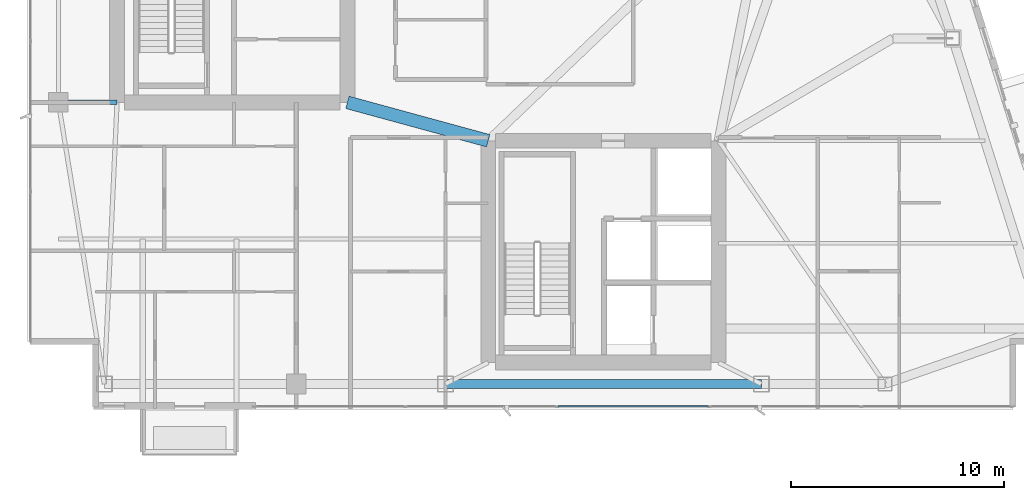
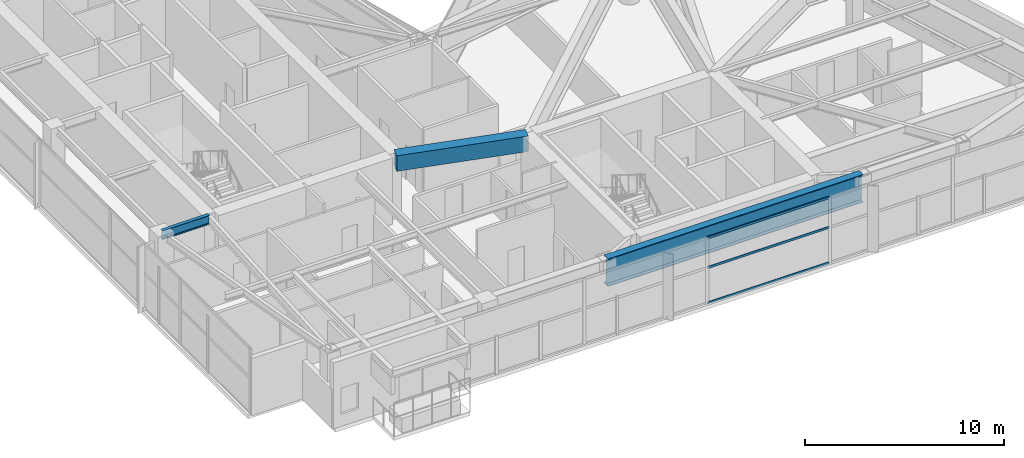
# One storey, part 7 of 27: 3 beams, 3 members, 1 element without a shape of its own.
"""IFC4 building model written with IfcOpenShell, lengths in metres."""

from ifc_helpers import new_model, si_unit, direction, frame, origin, origin_2d, place, context, subcontext, project, spatial, rectangle, hollow_rectangle, i_section, extrude, material, layer, layer_set, material_profile, profile_set, type_object, element, aggregate, save


model = new_model("IFC4")

# Units and contexts
model_context = context("Model", 3, precision=1e-05, world=origin(), true_north=direction((0.0, 1.0)))
body_context = subcontext(model_context, "Body", "Model", "MODEL_VIEW")
ifc_project = project(units=[si_unit("LENGTHUNIT", "METRE"), si_unit("AREAUNIT", "SQUARE_METRE"), si_unit("VOLUMEUNIT", "CUBIC_METRE"), si_unit("PLANEANGLEUNIT", "RADIAN"), si_unit("MASSUNIT", "GRAM", prefix="KILO")], contexts=[model_context])

# Site, building, storey
site_placement = place(None, origin())
site = spatial("IfcSite", under=ifc_project, at=site_placement, CompositionType="ELEMENT")
building_placement = place(site_placement, origin())
building = spatial("IfcBuilding", under=site, at=building_placement, Name="Calvorn Quay Hotel", CompositionType="ELEMENT")
storey_placement = place(building_placement, frame((0.0, 0.0, 239.300048828125)))
storey = spatial("IfcBuildingStorey", under=building, at=storey_placement, Name="L59", CompositionType="ELEMENT", Elevation=239.300048828125)

# Beams
ifc_material_1 = material(Name="Steel Q355B", Category="steel")
ifc_material_profile_1 = material_profile(ifc_material_1, i_section(OverallWidth=0.199951171875, OverallDepth=0.550048828125, WebThickness=0.010009765625, FlangeThickness=0.01611328125, FilletRadius=0.01806640625, at=origin_2d()), Name="HN550x200x10x16")
ifc_profile_set_1 = profile_set([ifc_material_profile_1], Name="Steel Q355B")
beam_type_1 = type_object("IfcBeamType", Name="BM-GIRD-UPP", PredefinedType="BEAM", material=ifc_profile_set_1)
beam_1_placement = place(storey_placement, frame((1.449951171875, 16.800048828125, 3.77490234375), z_axis=(1.0, 0.0, 0.0), x_axis=(0.0, 1.0, 0.0)))
element("IfcBeam", 1, at=beam_1_placement, inside=storey, type_object=beam_type_1, Name="Beam BG-L59-W1", PredefinedType="BEAM", context=body_context, shape_type="SweptSolid", body=[
    extrude(i_section(OverallWidth=0.199951171875, OverallDepth=0.550048828125, WebThickness=0.010009765625, FlangeThickness=0.01611328125, FilletRadius=0.01806640625, at=origin_2d()), origin(), (0.0, 0.0, 1.0), 2.75),
])
ifc_material_2 = material(Name="Concrete C45", Category="concrete")
ifc_material_profile_2 = material_profile(ifc_material_2, rectangle(XDim=0.60009765625, YDim=0.949951171875, at=origin_2d()), Name="RCB600x950")
ifc_profile_set_2 = profile_set([ifc_material_profile_2], Name="Concrete C45")
beam_type_2 = type_object("IfcBeamType", Name="BM-RC-LINK-600x950", PredefinedType="BEAM", material=ifc_profile_set_2)
beam_2_placement = place(storey_placement, frame((15.0, 16.800048828125, 3.574951171875), z_axis=(0.964762997686, -0.263120425462, 0.0), x_axis=(0.263120425462, 0.964762997686, 0.0)))
element("IfcBeam", 2, at=beam_2_placement, inside=storey, type_object=beam_type_2, Name="Beam BCL-L59-01", PredefinedType="BEAM", context=body_context, shape_type="SweptSolid", body=[
    extrude(rectangle(XDim=0.60009765625, YDim=0.949951171875, at=origin_2d()), origin(), (0.0, 0.0, 1.0), 6.841064453125),
])
ifc_material_3 = material(Name="Steel Q420GJC", Category="steel")
ifc_material_profile_3 = material_profile(ifc_material_3, i_section(OverallWidth=0.419921875, OverallDepth=1.699951171875, WebThickness=0.02392578125, FlangeThickness=0.0419921875, FilletRadius=0.02392578125, at=origin_2d()), Name="HN1700x420x24x42")
ifc_profile_set_3 = profile_set([ifc_material_profile_3], Name="Steel Q420GJC")
beam_type_3 = type_object("IfcBeamType", Name="BM-XFER-SAWTOOTH", PredefinedType="BEAM", material=ifc_profile_set_3)
beam_3_placement = place(storey_placement, frame((19.60009765625, 3.60009765625, 3.199951171875), z_axis=(1.0, 0.0, 0.0), x_axis=(0.0, 1.0, 0.0)))
element("IfcBeam", 3, at=beam_3_placement, inside=storey, type_object=beam_type_3, Name="Beam BSP-L59-S3", PredefinedType="BEAM", context=body_context, shape_type="SweptSolid", body=[
    extrude(i_section(OverallWidth=0.419921875, OverallDepth=1.699951171875, WebThickness=0.02392578125, FlangeThickness=0.0419921875, FilletRadius=0.02392578125, at=origin_2d()), origin(), (0.0, 0.0, 1.0), 14.7998046875),
])

# Curtain wall, members
ifc_material_4 = material(Name="Champagne Bronze Anodised Aluminium and Low-E Glass", Category="aluminium")
ifc_layer = layer(ifc_material_4, 0.219970703125)
ifc_layer_set = layer_set([ifc_layer], Name="CW-SYS-Z3")
curtain_wall_type = type_object("IfcCurtainWallType", Name="CW-SYS-Z3", PredefinedType="NOTDEFINED", material=ifc_layer_set)
curtain_wall_placement = place(storey_placement, origin())
curtain_wall = element("IfcCurtainWall", 4, at=curtain_wall_placement, inside=storey, type_object=curtain_wall_type, Name="Tower South Waterfront Curtain Wall (L59)", PredefinedType="NOTDEFINED")
ifc_material_5 = material(Name="Champagne Bronze Anodised Aluminium 6063-T6", Category="aluminium")
ifc_material_profile_4 = material_profile(ifc_material_5, hollow_rectangle(XDim=0.05810546875, YDim=0.139892578125, WallThickness=0.003173828125, at=origin_2d()), Name="ALU-T140x58x3.2")
ifc_profile_set_4 = profile_set([ifc_material_profile_4], Name="Champagne Bronze Anodised Aluminium 6063-T6")
member_type = type_object("IfcMemberType", Name="CW-SYS-Z3-TRN", PredefinedType="USERDEFINED", material=ifc_profile_set_4)
member_1_placement = place(storey_placement, frame((24.8701171875, 2.550048828125, 0.030029296875), z_axis=(1.0, 0.0, 0.0), x_axis=(0.0, 1.0, 0.0)))
member_1 = element("IfcMember", 5, at=member_1_placement, type_object=member_type, Name="CW-L59-S transom 3.1", ObjectType="TRANSOM", PredefinedType="USERDEFINED", context=body_context, shape_type="SweptSolid", body=[
    extrude(hollow_rectangle(XDim=0.05810546875, YDim=0.139892578125, WallThickness=0.003173828125, at=origin_2d()), origin(), (0.0, 0.0, 1.0), 7.059814453125),
])
member_2_placement = place(storey_placement, frame((24.8701171875, 2.550048828125, 2.199951171875), z_axis=(1.0, 0.0, 0.0), x_axis=(0.0, 1.0, 0.0)))
member_2 = element("IfcMember", 6, at=member_2_placement, type_object=member_type, Name="CW-L59-S transom 3.2", ObjectType="TRANSOM", PredefinedType="USERDEFINED", context=body_context, shape_type="SweptSolid", body=[
    extrude(hollow_rectangle(XDim=0.05810546875, YDim=0.139892578125, WallThickness=0.003173828125, at=origin_2d()), origin(), (0.0, 0.0, 1.0), 7.059814453125),
])
member_3_placement = place(storey_placement, frame((24.8701171875, 2.550048828125, 4.02001953125), z_axis=(1.0, 0.0, 0.0), x_axis=(0.0, 1.0, 0.0)))
member_3 = element("IfcMember", 7, at=member_3_placement, type_object=member_type, Name="CW-L59-S transom 3.3", ObjectType="TRANSOM", PredefinedType="USERDEFINED", context=body_context, shape_type="SweptSolid", body=[
    extrude(hollow_rectangle(XDim=0.05810546875, YDim=0.139892578125, WallThickness=0.003173828125, at=origin_2d()), origin(), (0.0, 0.0, 1.0), 7.059814453125),
])
aggregate(curtain_wall, [member_1, member_2, member_3])

save(model, "model.ifc")
